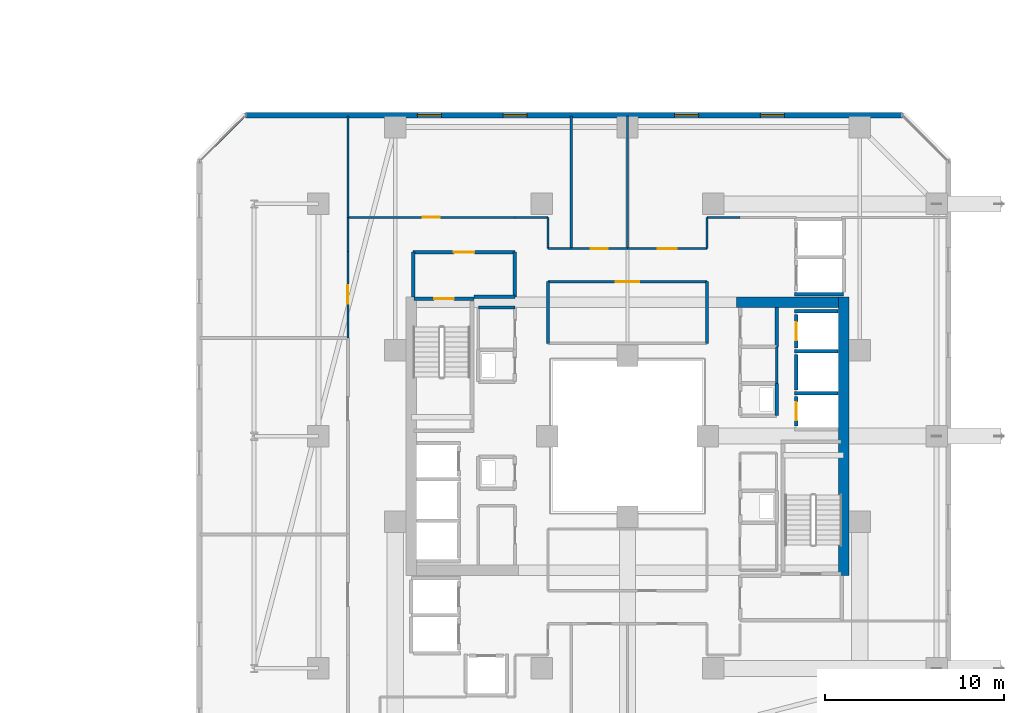
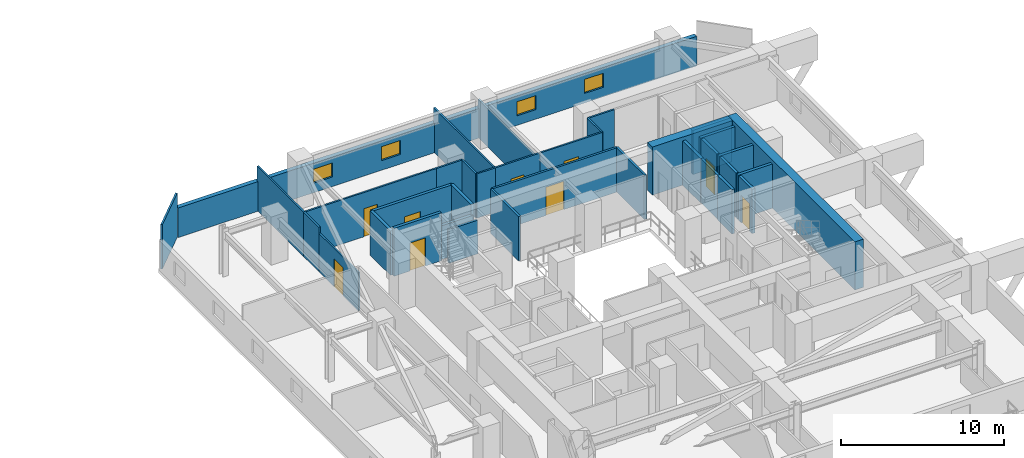
# One storey, part 28 of 36: 36 walls, 9 doors, 4 windows, 13 openings.
"""IFC4 building model written with IfcOpenShell, lengths in metres."""

from ifc_helpers import new_model, si_unit, direction, frame, frame_2d, origin, place, context, subcontext, project, spatial, rectangle, extrude, material, layer, layer_set, type_object, element, fill, save


model = new_model("IFC4")

# Units and contexts
model_context = context("Model", 3, precision=1e-05, world=origin(), true_north=direction((0.0, 1.0)))
body_context = subcontext(model_context, "Body", "Model", "MODEL_VIEW")
ifc_project = project(units=[si_unit("LENGTHUNIT", "METRE"), si_unit("AREAUNIT", "SQUARE_METRE"), si_unit("VOLUMEUNIT", "CUBIC_METRE"), si_unit("PLANEANGLEUNIT", "RADIAN"), si_unit("MASSUNIT", "GRAM", prefix="KILO")], contexts=[model_context])

# Site, building, storey
site_placement = place(None, origin())
site = spatial("IfcSite", under=ifc_project, at=site_placement, CompositionType="ELEMENT")
building_placement = place(site_placement, origin())
building = spatial("IfcBuilding", under=site, at=building_placement, Name="Thornwick Lancets Civic Towers", CompositionType="ELEMENT")
storey_placement = place(building_placement, frame((0.0, 0.0, 116.10009765625)))
storey = spatial("IfcBuildingStorey", under=building, at=storey_placement, Name="L30", CompositionType="ELEMENT", Elevation=116.10009765625)

# Wall, opening, door
ifc_material_1 = material(Name="Concrete blockwork C40/50", Category="masonry")
ifc_layer_1 = layer(ifc_material_1, 0.199951171875, Name="Concrete blockwork C40/50")
ifc_layer_set_1 = layer_set([ifc_layer_1], Name="Concrete blockwork C40/50")
wall_type_1 = type_object("IfcWallType", Name="WALL_COMP_200", PredefinedType="STANDARD", material=ifc_layer_set_1)
wall_1_placement = place(storey_placement, frame((97.949951171875, 29.219970703125, 0.0), z_axis=(0.0, 0.0, 1.0), x_axis=(0.0, -1.0, 0.0)))
wall_1 = element("IfcWall", 1, at=wall_1_placement, inside=storey, type_object=wall_type_1, Name="L30 Hoistway Front Wall FL-B1", PredefinedType="STANDARD", context=body_context, shape_type="SweptSolid", body=[
    extrude(rectangle(XDim=1.639892578125, YDim=0.199951171875, at=frame_2d((0.81982421875, 0.0))), origin(), (0.0, 0.0, 1.0), 3.31982421875),
])
opening_1_placement = place(wall_1_placement, frame((0.31005859375, 0.0, 0.0)))
opening_1 = element("IfcOpeningElement", 2, at=opening_1_placement, cuts=wall_1, Name="Opening LD-FL-B1", PredefinedType="OPENING", context=body_context, shape_type="SweptSolid", body=[
    extrude(rectangle(XDim=1.02001953125, YDim=2.06005859375, at=frame_2d((0.510009765625, 1.030029296875))), frame((0.0, 0.10986328125, 0.0), z_axis=(0.0, -1.0, 0.0), x_axis=(1.0, 0.0, 0.0)), (0.0, 0.0, 1.0), 0.219970703125),
])
ifc_material_2 = material(Name="Brushed bronze stainless steel", Category="steel")
door_type_1 = type_object("IfcDoorType", Name="DOOR_LIFT_SLIDE", OperationType="SLIDING_TO_LEFT", PredefinedType="DOOR", material=ifc_material_2)
door_1_placement = place(opening_1_placement, origin())
door_1 = element("IfcDoor", 3, at=door_1_placement, inside=storey, type_object=door_type_1, Name="L30 Sliding Lift Landing Door LD-FL-B1", OperationType="SLIDING_TO_LEFT", OverallHeight=2.06005859375, OverallWidth=1.02001953125, PredefinedType="DOOR", context=body_context, shape_type="SweptSolid", body=[
    extrude(rectangle(XDim=1.02001953125, YDim=2.06005859375, at=frame_2d((0.510009765625, 1.030029296875))), frame((0.0, 0.02490234375, 0.0), z_axis=(0.0, -1.0, 0.0), x_axis=(1.0, 0.0, 0.0)), (0.0, 0.0, 1.0), 0.050048828125),
])
fill(opening_1, door_1)

# Wall
wall_2_placement = place(storey_placement, frame((97.949951171875, 31.570068359375, 0.0), z_axis=(0.0, 0.0, 1.0), x_axis=(0.0, -1.0, 0.0)))
element("IfcWall", 4, at=wall_2_placement, inside=storey, type_object=wall_type_1, Name="L30 Hoistway Front Wall PL-BH1", PredefinedType="STANDARD", context=body_context, shape_type="SweptSolid", body=[
    extrude(rectangle(XDim=1.989990234375, YDim=0.199951171875, at=frame_2d((0.9951171875, 0.0))), origin(), (0.0, 0.0, 1.0), 3.31982421875),
])

# Wall, opening, door
wall_3_placement = place(storey_placement, frame((97.949951171875, 33.820068359375, 0.0), z_axis=(0.0, 0.0, 1.0), x_axis=(0.0, -1.0, 0.0)))
wall_3 = element("IfcWall", 5, at=wall_3_placement, inside=storey, type_object=wall_type_1, Name="L30 Hoistway Front Wall PL-BL1", PredefinedType="STANDARD", context=body_context, shape_type="SweptSolid", body=[
    extrude(rectangle(XDim=1.89013671875, YDim=0.199951171875, at=frame_2d((0.945068359375, 0.0))), origin(), (0.0, 0.0, 1.0), 3.31982421875),
])
opening_2_placement = place(wall_3_placement, frame((0.43505859375, 0.0, 0.0)))
opening_2 = element("IfcOpeningElement", 6, at=opening_2_placement, cuts=wall_3, Name="Opening LD-PL-BL1", PredefinedType="OPENING", context=body_context, shape_type="SweptSolid", body=[
    extrude(rectangle(XDim=1.02001953125, YDim=2.06005859375, at=frame_2d((0.510009765625, 1.030029296875))), frame((0.0, 0.10986328125, 0.0), z_axis=(0.0, -1.0, 0.0), x_axis=(1.0, 0.0, 0.0)), (0.0, 0.0, 1.0), 0.219970703125),
])
door_2_placement = place(opening_2_placement, origin())
door_2 = element("IfcDoor", 7, at=door_2_placement, inside=storey, type_object=door_type_1, Name="L30 Sliding Lift Landing Door LD-PL-BL1", OperationType="SLIDING_TO_LEFT", OverallHeight=2.06005859375, OverallWidth=1.02001953125, PredefinedType="DOOR", context=body_context, shape_type="SweptSolid", body=[
    extrude(rectangle(XDim=1.02001953125, YDim=2.06005859375, at=frame_2d((0.510009765625, 1.030029296875))), frame((0.0, 0.02490234375, 0.0), z_axis=(0.0, -1.0, 0.0), x_axis=(1.0, 0.0, 0.0)), (0.0, 0.0, 1.0), 0.050048828125),
])
fill(opening_2, door_2)

# Walls
for number, where, z_axis, x_axis, name in (
    (8, (97.85205078125, 29.39990234375, 0.0), (0.0, 0.0, 1.0), (1.0, 0.0, 0.0), "L30 Hoistway Shaft Wall FL-B1 N"),
    (9, (97.85205078125, 31.75, 0.0), (0.0, 0.0, 1.0), (1.0, 0.0, 0.0), "L30 Hoistway Shaft Wall PL-BH1 N"),
    (10, (97.85205078125, 34.0, 0.0), (0.0, 0.0, 1.0), (1.0, 0.0, 0.0), "L30 Hoistway Shaft Wall PL-BL1 N"),
):
    element("IfcWall", number, at=place(storey_placement, frame(where, z_axis=z_axis, x_axis=x_axis)), inside=storey, type_object=wall_type_1, Name=name, PredefinedType="STANDARD", context=body_context, shape_type="SweptSolid", body=[
        extrude(rectangle(XDim=2.43603515625, YDim=0.199951171875, at=frame_2d((1.218017578125, 0.0))), origin(), (0.0, 0.0, 1.0), 3.31982421875),
    ])
wall_4_placement = place(storey_placement, frame((97.85205078125, 34.949951171875, 0.0), z_axis=(0.0, 0.0, 1.0), x_axis=(1.0, 0.0, 0.0)))
element("IfcWall", 11, at=wall_4_placement, inside=storey, type_object=wall_type_1, Name="L30 Hoistway Shaft Wall PL-BL2 S", PredefinedType="STANDARD", context=body_context, shape_type="SweptSolid", body=[
    extrude(rectangle(XDim=2.745849609375, YDim=0.199951171875, at=frame_2d((1.373046875, 0.0))), origin(), (0.0, 0.0, 1.0), 3.31982421875),
])
wall_5_placement = place(storey_placement, frame((79.89990234375, 34.800048828125, 0.0), z_axis=(0.0, 0.0, 1.0), x_axis=(1.0, 0.0, 0.0)))
element("IfcWall", 12, at=wall_5_placement, inside=storey, type_object=wall_type_1, Name="L30 Partition L30-B-FFLOB2 E1", PredefinedType="STANDARD", context=body_context, shape_type="SweptSolid", body=[
    extrude(rectangle(XDim=2.300048828125, YDim=0.199951171875, at=frame_2d((1.14990234375, 0.0))), origin(), (0.0, 0.0, 1.0), 2.52490234375),
])
wall_6_placement = place(storey_placement, frame((82.199951171875, 34.800048828125, 0.0), z_axis=(0.0, 0.0, 1.0), x_axis=(0.0, 1.0, 0.0)))
element("IfcWall", 13, at=wall_6_placement, inside=storey, type_object=wall_type_1, Name="L30 Partition L30-B-FFLOB2 E2", PredefinedType="STANDARD", context=body_context, shape_type="SweptSolid", body=[
    extrude(rectangle(XDim=2.5, YDim=0.199951171875, at=frame_2d((1.25, 0.0))), origin(), (0.0, 0.0, 1.0), 3.31982421875),
])

# Wall, opening, door
wall_7_placement = place(storey_placement, frame((82.199951171875, 37.300048828125, 0.0), z_axis=(0.0, 0.0, 1.0), x_axis=(-1.0, 0.0, 0.0)))
wall_7 = element("IfcWall", 14, at=wall_7_placement, inside=storey, type_object=wall_type_1, Name="L30 Partition L30-B-FFLOB2 E3", PredefinedType="STANDARD", context=body_context, shape_type="SweptSolid", body=[
    extrude(rectangle(XDim=5.699951171875, YDim=0.199951171875, at=frame_2d((2.85009765625, 0.0))), origin(), (0.0, 0.0, 1.0), 3.31982421875),
])
opening_3_placement = place(wall_7_placement, frame((2.27490234375, 0.0, 0.0)))
opening_3 = element("IfcOpeningElement", 15, at=opening_3_placement, cuts=wall_7, Name="Opening D-L30-1382", PredefinedType="OPENING", context=body_context, shape_type="SweptSolid", body=[
    extrude(rectangle(XDim=1.14990234375, YDim=2.10009765625, at=frame_2d((0.574951171875, 1.050048828125))), frame((0.0, 0.10986328125, 0.0), z_axis=(0.0, -1.0, 0.0), x_axis=(1.0, 0.0, 0.0)), (0.0, 0.0, 1.0), 0.219970703125),
])
ifc_material_3 = material(Name="Glazed fire-resisting steel", Category="steel")
door_type_2 = type_object("IfcDoorType", Name="DOOR_LOBBY_FD60", OperationType="NOTDEFINED", PredefinedType="DOOR", material=ifc_material_3)
door_3_placement = place(opening_3_placement, origin())
door_3 = element("IfcDoor", 16, at=door_3_placement, inside=storey, type_object=door_type_2, Name="L30 West Firefighting Lobby 2 Door", OperationType="SINGLE_SWING_LEFT", OverallHeight=2.10009765625, OverallWidth=1.14990234375, PredefinedType="DOOR", context=body_context, shape_type="SweptSolid", body=[
    extrude(rectangle(XDim=1.14990234375, YDim=2.10009765625, at=frame_2d((0.574951171875, 1.050048828125))), frame((0.0, 0.02490234375, 0.0), z_axis=(0.0, -1.0, 0.0), x_axis=(1.0, 0.0, 0.0)), (0.0, 0.0, 1.0), 0.050048828125),
])
fill(opening_3, door_3)

# Walls
wall_8_placement = place(storey_placement, frame((76.5, 37.300048828125, 0.0), z_axis=(0.0, 0.0, 1.0), x_axis=(0.0, -1.0, 0.0)))
element("IfcWall", 17, at=wall_8_placement, inside=storey, type_object=wall_type_1, Name="L30 Partition L30-B-FFLOB2 E4", PredefinedType="STANDARD", context=body_context, shape_type="SweptSolid", body=[
    extrude(rectangle(XDim=2.5, YDim=0.199951171875, at=frame_2d((1.25, 0.0))), origin(), (0.0, 0.0, 1.0), 3.31982421875),
])
wall_9_placement = place(storey_placement, frame((96.85009765625, 28.14990234375, 0.0), z_axis=(0.0, 0.0, 1.0), x_axis=(0.0, 1.0, 0.0)))
element("IfcWall", 18, at=wall_9_placement, inside=storey, type_object=wall_type_1, Name="L30 Partition L30-B-DUCT1 E2", PredefinedType="STANDARD", context=body_context, shape_type="SweptSolid", body=[
    extrude(rectangle(XDim=1.800048828125, YDim=0.199951171875, at=frame_2d((0.89990234375, 0.0))), origin(), (0.0, 0.0, 1.0), 3.31982421875),
])
wall_10_placement = place(storey_placement, frame((96.85009765625, 34.199951171875, 0.0), z_axis=(0.0, 0.0, 1.0), x_axis=(0.0, -1.0, 0.0)))
element("IfcWall", 19, at=wall_10_placement, inside=storey, type_object=wall_type_1, Name="L30 Partition L30-B-STR2 E3", PredefinedType="STANDARD", context=body_context, shape_type="SweptSolid", body=[
    extrude(rectangle(XDim=2.199951171875, YDim=0.199951171875, at=frame_2d((1.10009765625, 0.0))), origin(), (0.0, 0.0, 1.0), 3.31982421875),
])
ifc_material_4 = material(Name="Concrete C60/75", Category="concrete")
ifc_layer_2 = layer(ifc_material_4, 0.60009765625, Name="Concrete C60/75")
ifc_layer_set_2 = layer_set([ifc_layer_2], Name="Concrete C60/75")
wall_type_2 = type_object("IfcWallType", Name="WALL_CORE_600", PredefinedType="SHEAR", material=ifc_layer_set_2)
wall_11_placement = place(storey_placement, frame((100.60009765625, 19.199951171875, 0.0), z_axis=(0.0, 0.0, 1.0), x_axis=(0.0, 1.0, 0.0)))
element("IfcWall", 20, at=wall_11_placement, inside=storey, type_object=wall_type_2, Name="L30 Split Core B1 Shear Wall E", PredefinedType="SHEAR", context=body_context, shape_type="SweptSolid", body=[
    extrude(rectangle(XDim=15.60009765625, YDim=0.60009765625, at=frame_2d((7.800048828125, 0.0))), origin(), (0.0, 0.0, 1.0), 3.599853515625),
])
wall_12_placement = place(storey_placement, frame((94.60009765625, 34.5, 0.0), z_axis=(0.0, 0.0, 1.0), x_axis=(1.0, 0.0, 0.0)))
element("IfcWall", 21, at=wall_12_placement, inside=storey, type_object=wall_type_2, Name="L30 Split Core B1 Shear Wall N", PredefinedType="SHEAR", context=body_context, shape_type="SweptSolid", body=[
    extrude(rectangle(XDim=5.699951171875, YDim=0.60009765625, at=frame_2d((2.85009765625, 0.0))), origin(), (0.0, 0.0, 1.0), 3.599853515625),
])

# Wall, openings, windows
ifc_material_5 = material(Name="Insulated russet terracotta rainscreen on concrete C40/50", Category="masonry")
ifc_layer_3 = layer(ifc_material_5, 0.300048828125, Name="Insulated russet terracotta rainscreen on concrete C40/50")
ifc_layer_set_3 = layer_set([ifc_layer_3], Name="Insulated russet terracotta rainscreen on concrete C40/50")
wall_type_3 = type_object("IfcWallType", Name="WALL_EXT_RUSSET_300", PredefinedType="STANDARD", material=ifc_layer_set_3)
wall_13_placement = place(storey_placement, frame((103.88134765625, 44.964599609375, 0.0), z_axis=(0.0, 0.0, 1.0), x_axis=(-1.0, 0.0, 0.0)))
wall_13 = element("IfcWall", 22, at=wall_13_placement, inside=storey, type_object=wall_type_3, Name="L30 Tower B Terracotta Facade Wall E4", PredefinedType="STANDARD", context=body_context, shape_type="SweptSolid", body=[
    extrude(rectangle(XDim=36.7626953125, YDim=0.300048828125, at=frame_2d((18.38134765625, 0.0))), origin(), (0.0, 0.0, 1.0), 2.219970703125),
])
opening_4_placement = place(wall_13_placement, frame((6.60009765625, 0.0, 0.719970703125)))
opening_4 = element("IfcOpeningElement", 23, at=opening_4_placement, cuts=wall_13, Name="Opening WL-03", PredefinedType="OPENING", context=body_context, shape_type="SweptSolid", body=[
    extrude(rectangle(XDim=1.35009765625, YDim=1.050048828125, at=frame_2d((0.675048828125, 0.52490234375))), frame((0.0, 0.16015625, 0.0), z_axis=(0.0, -1.0, 0.0), x_axis=(1.0, 0.0, 0.0)), (0.0, 0.0, 1.0), 0.320068359375),
])
opening_5_placement = place(wall_13_placement, frame((11.39990234375, 0.0, 0.719970703125)))
opening_5 = element("IfcOpeningElement", 24, at=opening_5_placement, cuts=wall_13, Name="Opening WL-03", PredefinedType="OPENING", context=body_context, shape_type="SweptSolid", body=[
    extrude(rectangle(XDim=1.35009765625, YDim=1.050048828125, at=frame_2d((0.675048828125, 0.52490234375))), frame((0.0, 0.16015625, 0.0), z_axis=(0.0, -1.0, 0.0), x_axis=(1.0, 0.0, 0.0)), (0.0, 0.0, 1.0), 0.320068359375),
])
opening_6_placement = place(wall_13_placement, frame((21.0, 0.0, 0.719970703125)))
opening_6 = element("IfcOpeningElement", 25, at=opening_6_placement, cuts=wall_13, Name="Opening WL-03", PredefinedType="OPENING", context=body_context, shape_type="SweptSolid", body=[
    extrude(rectangle(XDim=1.35009765625, YDim=1.050048828125, at=frame_2d((0.675048828125, 0.52490234375))), frame((0.0, 0.16015625, 0.0), z_axis=(0.0, -1.0, 0.0), x_axis=(1.0, 0.0, 0.0)), (0.0, 0.0, 1.0), 0.320068359375),
])
opening_7_placement = place(wall_13_placement, frame((25.800048828125, 0.0, 0.719970703125)))
opening_7 = element("IfcOpeningElement", 26, at=opening_7_placement, cuts=wall_13, Name="Opening WL-03", PredefinedType="OPENING", context=body_context, shape_type="SweptSolid", body=[
    extrude(rectangle(XDim=1.35009765625, YDim=1.050048828125, at=frame_2d((0.675048828125, 0.52490234375))), frame((0.0, 0.16015625, 0.0), z_axis=(0.0, -1.0, 0.0), x_axis=(1.0, 0.0, 0.0)), (0.0, 0.0, 1.0), 0.320068359375),
])
ifc_material_6 = material(Name="Clear low-e double glazing clerestory lancet", Category="glass")
window_type = type_object("IfcWindowType", Name="WIN_LANCET_1350", PartitioningType="SINGLE_PANEL", PredefinedType="WINDOW", material=ifc_material_6)
window_1_placement = place(opening_4_placement, origin())
window_1 = element("IfcWindow", 27, at=window_1_placement, inside=storey, type_object=window_type, Name="L30 Tower B Staggered Lancet Window E4-1", OverallHeight=1.050048828125, OverallWidth=1.35009765625, PartitioningType="SINGLE_PANEL", PredefinedType="WINDOW", context=body_context, shape_type="SweptSolid", body=[
    extrude(rectangle(XDim=1.35009765625, YDim=1.050048828125, at=frame_2d((0.675048828125, 0.52490234375))), frame((0.0, 0.030029296875, 0.0), z_axis=(0.0, -1.0, 0.0), x_axis=(1.0, 0.0, 0.0)), (0.0, 0.0, 1.0), 0.06005859375),
])
fill(opening_4, window_1)
window_2_placement = place(opening_5_placement, origin())
window_2 = element("IfcWindow", 28, at=window_2_placement, inside=storey, type_object=window_type, Name="L30 Tower B Staggered Lancet Window E4-2", OverallHeight=1.050048828125, OverallWidth=1.35009765625, PartitioningType="SINGLE_PANEL", PredefinedType="WINDOW", context=body_context, shape_type="SweptSolid", body=[
    extrude(rectangle(XDim=1.35009765625, YDim=1.050048828125, at=frame_2d((0.675048828125, 0.52490234375))), frame((0.0, 0.030029296875, 0.0), z_axis=(0.0, -1.0, 0.0), x_axis=(1.0, 0.0, 0.0)), (0.0, 0.0, 1.0), 0.06005859375),
])
fill(opening_5, window_2)
window_3_placement = place(opening_6_placement, origin())
window_3 = element("IfcWindow", 29, at=window_3_placement, inside=storey, type_object=window_type, Name="L30 Tower B Staggered Lancet Window E4-3", OverallHeight=1.050048828125, OverallWidth=1.35009765625, PartitioningType="SINGLE_PANEL", PredefinedType="WINDOW", context=body_context, shape_type="SweptSolid", body=[
    extrude(rectangle(XDim=1.35009765625, YDim=1.050048828125, at=frame_2d((0.675048828125, 0.52490234375))), frame((0.0, 0.030029296875, 0.0), z_axis=(0.0, -1.0, 0.0), x_axis=(1.0, 0.0, 0.0)), (0.0, 0.0, 1.0), 0.06005859375),
])
fill(opening_6, window_3)
window_4_placement = place(opening_7_placement, origin())
window_4 = element("IfcWindow", 30, at=window_4_placement, inside=storey, type_object=window_type, Name="L30 Tower B Staggered Lancet Window E4-4", OverallHeight=1.050048828125, OverallWidth=1.35009765625, PartitioningType="SINGLE_PANEL", PredefinedType="WINDOW", context=body_context, shape_type="SweptSolid", body=[
    extrude(rectangle(XDim=1.35009765625, YDim=1.050048828125, at=frame_2d((0.675048828125, 0.52490234375))), frame((0.0, 0.030029296875, 0.0), z_axis=(0.0, -1.0, 0.0), x_axis=(1.0, 0.0, 0.0)), (0.0, 0.0, 1.0), 0.06005859375),
])
fill(opening_7, window_4)

# Walls
ifc_material_7 = material(Name="Acoustic gypsum board partition")
ifc_layer_4 = layer(ifc_material_7, 0.1201171875, Name="Acoustic gypsum board partition")
ifc_layer_set_4 = layer_set([ifc_layer_4], Name="Acoustic gypsum board partition")
wall_type_4 = type_object("IfcWallType", Name="WALL_PART_120", PredefinedType="PARTITIONING", material=ifc_layer_set_4)
wall_14_placement = place(storey_placement, frame((94.800048828125, 39.25, 0.0), z_axis=(0.0, 0.0, 1.0), x_axis=(-1.0, 0.0, 0.0)))
element("IfcWall", 31, at=wall_14_placement, inside=storey, type_object=wall_type_4, Name="L30 Partition L30-B-E1 E4", PredefinedType="PARTITIONING", context=body_context, shape_type="SweptSolid", body=[
    extrude(rectangle(XDim=1.85009765625, YDim=0.1201171875, at=frame_2d((0.925048828125, 0.0))), origin(), (0.0, 0.0, 1.0), 3.31982421875),
])
wall_15_placement = place(storey_placement, frame((92.949951171875, 39.25, 0.0), z_axis=(0.0, 0.0, 1.0), x_axis=(0.0, -1.0, 0.0)))
element("IfcWall", 32, at=wall_15_placement, inside=storey, type_object=wall_type_4, Name="L30 Partition L30-B-E1 E5", PredefinedType="PARTITIONING", context=body_context, shape_type="SweptSolid", body=[
    extrude(rectangle(XDim=1.75, YDim=0.1201171875, at=frame_2d((0.875, 0.0))), origin(), (0.0, 0.0, 1.0), 3.31982421875),
])

# Wall, opening, door
wall_16_placement = place(storey_placement, frame((92.949951171875, 37.5, 0.0), z_axis=(0.0, 0.0, 1.0), x_axis=(-1.0, 0.0, 0.0)))
wall_16 = element("IfcWall", 33, at=wall_16_placement, inside=storey, type_object=wall_type_4, Name="L30 Partition L30-B-E1 E6", PredefinedType="PARTITIONING", context=body_context, shape_type="SweptSolid", body=[
    extrude(rectangle(XDim=4.449951171875, YDim=0.1201171875, at=frame_2d((2.22509765625, 0.0))), origin(), (0.0, 0.0, 1.0), 3.31982421875),
])
opening_8_placement = place(wall_16_placement, frame((1.699951171875, 0.0, 0.0)))
opening_8 = element("IfcOpeningElement", 34, at=opening_8_placement, cuts=wall_16, Name="Opening D-L30-1407", PredefinedType="OPENING", context=body_context, shape_type="SweptSolid", body=[
    extrude(rectangle(XDim=1.050048828125, YDim=2.10009765625, at=frame_2d((0.52490234375, 1.050048828125))), frame((0.0, 0.070068359375, 0.0), z_axis=(0.0, -1.0, 0.0), x_axis=(1.0, 0.0, 0.0)), (0.0, 0.0, 1.0), 0.14013671875),
])
ifc_material_8 = material(Name="Glazed European oak executive doorset")
door_type_3 = type_object("IfcDoorType", Name="DOOR_OFFICE_1050", OperationType="NOTDEFINED", PredefinedType="DOOR", material=ifc_material_8)
door_4_placement = place(opening_8_placement, origin())
door_4 = element("IfcDoor", 35, at=door_4_placement, inside=storey, type_object=door_type_3, Name="L30 Tower B Secretariat Open Office E1 Door", OperationType="SINGLE_SWING_RIGHT", OverallHeight=2.10009765625, OverallWidth=1.050048828125, PredefinedType="DOOR", context=body_context, shape_type="SweptSolid", body=[
    extrude(rectangle(XDim=1.050048828125, YDim=2.10009765625, at=frame_2d((0.52490234375, 1.050048828125))), frame((0.0, 0.02490234375, 0.0), z_axis=(0.0, -1.0, 0.0), x_axis=(1.0, 0.0, 0.0)), (0.0, 0.0, 1.0), 0.050048828125),
])
fill(opening_8, door_4)

# Walls
wall_17_placement = place(storey_placement, frame((88.5, 37.5, 0.0), z_axis=(0.0, 0.0, 1.0), x_axis=(0.0, 1.0, 0.0)))
element("IfcWall", 36, at=wall_17_placement, inside=storey, type_object=wall_type_4, Name="L30 Partition L30-B-E1 E7", PredefinedType="PARTITIONING", context=body_context, shape_type="SweptSolid", body=[
    extrude(rectangle(XDim=7.419921875, YDim=0.1201171875, at=frame_2d((3.7099609375, 0.0))), origin(), (0.0, 0.0, 1.0), 2.861572265625),
])
wall_18_placement = place(storey_placement, frame((85.35009765625, 37.5, 0.0), z_axis=(0.0, 0.0, 1.0), x_axis=(0.0, 1.0, 0.0)))
element("IfcWall", 37, at=wall_18_placement, inside=storey, type_object=wall_type_4, Name="L30 Partition L30-B-E2 E1", PredefinedType="PARTITIONING", context=body_context, shape_type="SweptSolid", body=[
    extrude(rectangle(XDim=7.419921875, YDim=0.1201171875, at=frame_2d((3.7099609375, 0.0))), origin(), (0.0, 0.0, 1.0), 3.31982421875),
])

# Wall, opening, door
wall_19_placement = place(storey_placement, frame((88.5, 37.5, 0.0), z_axis=(0.0, 0.0, 1.0), x_axis=(-1.0, 0.0, 0.0)))
wall_19 = element("IfcWall", 38, at=wall_19_placement, inside=storey, type_object=wall_type_4, Name="L30 Partition L30-B-E2 E4", PredefinedType="PARTITIONING", context=body_context, shape_type="SweptSolid", body=[
    extrude(rectangle(XDim=3.14990234375, YDim=0.1201171875, at=frame_2d((1.574951171875, 0.0))), origin(), (0.0, 0.0, 1.0), 3.31982421875),
])
opening_9_placement = place(wall_19_placement, frame((1.10009765625, 0.0, 0.0)))
opening_9 = element("IfcOpeningElement", 39, at=opening_9_placement, cuts=wall_19, Name="Opening D-L30-1408", PredefinedType="OPENING", context=body_context, shape_type="SweptSolid", body=[
    extrude(rectangle(XDim=0.949951171875, YDim=2.10009765625, at=frame_2d((0.47509765625, 1.050048828125))), frame((0.0, 0.070068359375, 0.0), z_axis=(0.0, -1.0, 0.0), x_axis=(1.0, 0.0, 0.0)), (0.0, 0.0, 1.0), 0.14013671875),
])
ifc_material_9 = material(Name="European oak acoustic doorset")
door_type_4 = type_object("IfcDoorType", Name="DOOR_OFFICE_950", OperationType="NOTDEFINED", PredefinedType="DOOR", material=ifc_material_9)
door_5_placement = place(opening_9_placement, origin())
door_5 = element("IfcDoor", 40, at=door_5_placement, inside=storey, type_object=door_type_4, Name="L30 Tower B Visitors Reception and Waiting Door", OperationType="SINGLE_SWING_LEFT", OverallHeight=2.10009765625, OverallWidth=0.949951171875, PredefinedType="DOOR", context=body_context, shape_type="SweptSolid", body=[
    extrude(rectangle(XDim=0.949951171875, YDim=2.10009765625, at=frame_2d((0.47509765625, 1.050048828125))), frame((0.0, 0.02490234375, 0.0), z_axis=(0.0, -1.0, 0.0), x_axis=(1.0, 0.0, 0.0)), (0.0, 0.0, 1.0), 0.050048828125),
])
fill(opening_9, door_5)

# Walls
wall_20_placement = place(storey_placement, frame((84.050048828125, 37.5, 0.0), z_axis=(0.0, 0.0, 1.0), x_axis=(0.0, 1.0, 0.0)))
element("IfcWall", 41, at=wall_20_placement, inside=storey, type_object=wall_type_4, Name="L30 Partition L30-B-E3 E1", PredefinedType="PARTITIONING", context=body_context, shape_type="SweptSolid", body=[
    extrude(rectangle(XDim=1.75, YDim=0.1201171875, at=frame_2d((0.875, 0.0))), origin(), (0.0, 0.0, 1.0), 3.31982421875),
])
wall_21_placement = place(storey_placement, frame((84.050048828125, 39.25, 0.0), z_axis=(0.0, 0.0, 1.0), x_axis=(-1.0, 0.0, 0.0)))
element("IfcWall", 42, at=wall_21_placement, inside=storey, type_object=wall_type_4, Name="L30 Partition L30-B-E3 E2", PredefinedType="PARTITIONING", context=body_context, shape_type="SweptSolid", body=[
    extrude(rectangle(XDim=1.85009765625, YDim=0.1201171875, at=frame_2d((0.925048828125, 0.0))), origin(), (0.0, 0.0, 1.0), 3.31982421875),
])

# Wall, opening, door
wall_22_placement = place(storey_placement, frame((82.199951171875, 39.25, 0.0), z_axis=(0.0, 0.0, 1.0), x_axis=(-1.0, 0.0, 0.0)))
wall_22 = element("IfcWall", 43, at=wall_22_placement, inside=storey, type_object=wall_type_4, Name="L30 Partition L30-B-E3 E3", PredefinedType="PARTITIONING", context=body_context, shape_type="SweptSolid", body=[
    extrude(rectangle(XDim=9.349853515625, YDim=0.1201171875, at=frame_2d((4.6748046875, 0.0))), origin(), (0.0, 0.0, 1.0), 3.31982421875),
])
opening_10_placement = place(wall_22_placement, frame((4.199951171875, 0.0, 0.0)))
opening_10 = element("IfcOpeningElement", 44, at=opening_10_placement, cuts=wall_22, Name="Opening D-L30-1409", PredefinedType="OPENING", context=body_context, shape_type="SweptSolid", body=[
    extrude(rectangle(XDim=0.949951171875, YDim=2.10009765625, at=frame_2d((0.47509765625, 1.050048828125))), frame((0.0, 0.070068359375, 0.0), z_axis=(0.0, -1.0, 0.0), x_axis=(1.0, 0.0, 0.0)), (0.0, 0.0, 1.0), 0.14013671875),
])
door_6_placement = place(opening_10_placement, origin())
door_6 = element("IfcDoor", 45, at=door_6_placement, inside=storey, type_object=door_type_4, Name="L30 Tower B Civic Seminar Room Door", OperationType="SINGLE_SWING_RIGHT", OverallHeight=2.10009765625, OverallWidth=0.949951171875, PredefinedType="DOOR", context=body_context, shape_type="SweptSolid", body=[
    extrude(rectangle(XDim=0.949951171875, YDim=2.10009765625, at=frame_2d((0.47509765625, 1.050048828125))), frame((0.0, 0.02490234375, 0.0), z_axis=(0.0, -1.0, 0.0), x_axis=(1.0, 0.0, 0.0)), (0.0, 0.0, 1.0), 0.050048828125),
])
fill(opening_10, door_6)

# Walls
wall_23_placement = place(storey_placement, frame((72.85009765625, 39.25, 0.0), z_axis=(0.0, 0.0, 1.0), x_axis=(0.0, 1.0, 0.0)))
element("IfcWall", 46, at=wall_23_placement, inside=storey, type_object=wall_type_4, Name="L30 Partition L30-B-E3 E4", PredefinedType="PARTITIONING", context=body_context, shape_type="SweptSolid", body=[
    extrude(rectangle(XDim=5.669921875, YDim=0.1201171875, at=frame_2d((2.8349609375, 0.0))), origin(), (0.0, 0.0, 1.0), 3.31982421875),
])
wall_24_placement = place(storey_placement, frame((85.35009765625, 37.5, 0.0), z_axis=(0.0, 0.0, 1.0), x_axis=(-1.0, 0.0, 0.0)))
element("IfcWall", 47, at=wall_24_placement, inside=storey, type_object=wall_type_4, Name="L30 Partition L30-B-E3 E7", PredefinedType="PARTITIONING", context=body_context, shape_type="SweptSolid", body=[
    extrude(rectangle(XDim=1.300048828125, YDim=0.1201171875, at=frame_2d((0.64990234375, 0.0))), origin(), (0.0, 0.0, 1.0), 3.31982421875),
])
wall_25_placement = place(storey_placement, frame((64.580078125, 42.42529296875, 0.0), z_axis=(0.0, 0.0, 1.0), x_axis=(0.707106781187, 0.707106781187, 0.0)))
element("IfcWall", 48, at=wall_25_placement, inside=storey, type_object=wall_type_4, Name="L30 Partition L30-B-N-OFF E2", PredefinedType="PARTITIONING", context=body_context, shape_type="SweptSolid", body=[
    extrude(rectangle(XDim=3.52783203125, YDim=0.1201171875, at=frame_2d((1.763916015625, 0.0))), origin(), (0.0, 0.0, 1.0), 3.31982421875),
])
wall_26_placement = place(storey_placement, frame((72.85009765625, 39.25, 0.0), z_axis=(0.0, 0.0, 1.0), x_axis=(0.0, -1.0, 0.0)))
element("IfcWall", 49, at=wall_26_placement, inside=storey, type_object=wall_type_4, Name="L30 Partition L30-B-N-OFF E5", PredefinedType="PARTITIONING", context=body_context, shape_type="SweptSolid", body=[
    extrude(rectangle(XDim=1.89990234375, YDim=0.1201171875, at=frame_2d((0.949951171875, 0.0))), origin(), (0.0, 0.0, 1.0), 3.31982421875),
])

# Wall, opening, door
wall_27_placement = place(storey_placement, frame((72.85009765625, 37.35009765625, 0.0), z_axis=(0.0, 0.0, 1.0), x_axis=(0.0, -1.0, 0.0)))
wall_27 = element("IfcWall", 50, at=wall_27_placement, inside=storey, type_object=wall_type_4, Name="L30 Partition L30-B-N-OFF E6", PredefinedType="PARTITIONING", context=body_context, shape_type="SweptSolid", body=[
    extrude(rectangle(XDim=4.85009765625, YDim=0.1201171875, at=frame_2d((2.425048828125, 0.0))), origin(), (0.0, 0.0, 1.0), 2.875),
])
opening_11_placement = place(wall_27_placement, frame((1.89990234375, 0.0, 0.0)))
opening_11 = element("IfcOpeningElement", 51, at=opening_11_placement, cuts=wall_27, Name="Opening D-L30-1414", PredefinedType="OPENING", context=body_context, shape_type="SweptSolid", body=[
    extrude(rectangle(XDim=1.050048828125, YDim=2.10009765625, at=frame_2d((0.52490234375, 1.050048828125))), frame((0.0, 0.070068359375, 0.0), z_axis=(0.0, -1.0, 0.0), x_axis=(1.0, 0.0, 0.0)), (0.0, 0.0, 1.0), 0.14013671875),
])
door_7_placement = place(opening_11_placement, origin())
door_7 = element("IfcDoor", 52, at=door_7_placement, inside=storey, type_object=door_type_3, Name="L30 Tower B North-East Policy Office Door", OperationType="SINGLE_SWING_LEFT", OverallHeight=2.10009765625, OverallWidth=1.050048828125, PredefinedType="DOOR", context=body_context, shape_type="SweptSolid", body=[
    extrude(rectangle(XDim=1.050048828125, YDim=2.10009765625, at=frame_2d((0.52490234375, 1.050048828125))), frame((0.0, 0.02490234375, 0.0), z_axis=(0.0, -1.0, 0.0), x_axis=(1.0, 0.0, 0.0)), (0.0, 0.0, 1.0), 0.050048828125),
])
fill(opening_11, door_7)

# Walls
ifc_material_10 = material(Name="Twin-stud acoustic gypsum board")
ifc_layer_5 = layer(ifc_material_10, 0.14990234375, Name="Twin-stud acoustic gypsum board")
ifc_layer_set_5 = layer_set([ifc_layer_5], Name="Twin-stud acoustic gypsum board")
wall_type_5 = type_object("IfcWallType", Name="WALL_PART_150", PredefinedType="PARTITIONING", material=ifc_layer_set_5)
wall_28_placement = place(storey_placement, frame((96.85009765625, 32.0, 0.0), z_axis=(0.0, 0.0, 1.0), x_axis=(0.0, -1.0, 0.0)))
element("IfcWall", 53, at=wall_28_placement, inside=storey, type_object=wall_type_5, Name="L30 Partition L30-B-AWC E3", PredefinedType="PARTITIONING", context=body_context, shape_type="SweptSolid", body=[
    extrude(rectangle(XDim=2.050048828125, YDim=0.14990234375, at=frame_2d((1.02490234375, 0.0))), origin(), (0.0, 0.0, 1.0), 3.31982421875),
])
wall_29_placement = place(storey_placement, frame((80.14990234375, 34.199951171875, 0.0), z_axis=(0.0, 0.0, 1.0), x_axis=(1.0, 0.0, 0.0)))
element("IfcWall", 54, at=wall_29_placement, inside=storey, type_object=wall_type_5, Name="L30 Partition L30-B-FWC E2", PredefinedType="PARTITIONING", context=body_context, shape_type="SweptSolid", body=[
    extrude(rectangle(XDim=2.050048828125, YDim=0.14990234375, at=frame_2d((1.02490234375, 0.0))), origin(), (0.0, 0.0, 1.0), 2.52490234375),
])
wall_30_placement = place(storey_placement, frame((84.050048828125, 32.199951171875, 0.0), z_axis=(0.0, 0.0, 1.0), x_axis=(0.0, 1.0, 0.0)))
element("IfcWall", 55, at=wall_30_placement, inside=storey, type_object=wall_type_5, Name="L30 Partition L30-B-ATR-E E1", PredefinedType="PARTITIONING", context=body_context, shape_type="SweptSolid", body=[
    extrude(rectangle(XDim=3.449951171875, YDim=0.14990234375, at=frame_2d((1.72509765625, 0.0))), origin(), (0.0, 0.0, 1.0), 3.31982421875),
])

# Wall, opening, door
wall_31_placement = place(storey_placement, frame((84.050048828125, 35.64990234375, 0.0), z_axis=(0.0, 0.0, 1.0), x_axis=(1.0, 0.0, 0.0)))
wall_31 = element("IfcWall", 56, at=wall_31_placement, inside=storey, type_object=wall_type_5, Name="L30 Partition L30-B-ATR-E E2", PredefinedType="PARTITIONING", context=body_context, shape_type="SweptSolid", body=[
    extrude(rectangle(XDim=8.89990234375, YDim=0.14990234375, at=frame_2d((4.449951171875, 0.0))), origin(), (0.0, 0.0, 1.0), 3.31982421875),
])
opening_12_placement = place(wall_31_placement, frame((3.800048828125, 0.0, 0.0)))
opening_12 = element("IfcOpeningElement", 57, at=opening_12_placement, cuts=wall_31, Name="Opening D-L30-1410", PredefinedType="OPENING", context=body_context, shape_type="SweptSolid", body=[
    extrude(rectangle(XDim=1.300048828125, YDim=2.1201171875, at=frame_2d((0.64990234375, 1.06005859375))), frame((0.0, 0.0849609375, 0.0), z_axis=(0.0, -1.0, 0.0), x_axis=(1.0, 0.0, 0.0)), (0.0, 0.0, 1.0), 0.169921875),
])
ifc_material_11 = material(Name="Acoustic oak leaf-and-a-half doorset")
door_type_5 = type_object("IfcDoorType", Name="DOOR_MEET_1300", OperationType="DOUBLE_DOOR_SINGLE_SWING", PredefinedType="DOOR", material=ifc_material_11)
door_8_placement = place(opening_12_placement, origin())
door_8 = element("IfcDoor", 58, at=door_8_placement, inside=storey, type_object=door_type_5, Name="L30 Tower B East Atrium Briefing Suite Door", OperationType="DOUBLE_DOOR_SINGLE_SWING", OverallHeight=2.1201171875, OverallWidth=1.300048828125, PredefinedType="DOOR", context=body_context, shape_type="SweptSolid", body=[
    extrude(rectangle(XDim=1.300048828125, YDim=2.1201171875, at=frame_2d((0.64990234375, 1.06005859375))), frame((0.0, 0.02490234375, 0.0), z_axis=(0.0, -1.0, 0.0), x_axis=(1.0, 0.0, 0.0)), (0.0, 0.0, 1.0), 0.050048828125),
])
fill(opening_12, door_8)

# Wall
wall_32_placement = place(storey_placement, frame((92.949951171875, 35.64990234375, 0.0), z_axis=(0.0, 0.0, 1.0), x_axis=(0.0, -1.0, 0.0)))
element("IfcWall", 59, at=wall_32_placement, inside=storey, type_object=wall_type_5, Name="L30 Partition L30-B-ATR-E E3", PredefinedType="PARTITIONING", context=body_context, shape_type="SweptSolid", body=[
    extrude(rectangle(XDim=3.449951171875, YDim=0.14990234375, at=frame_2d((1.72509765625, 0.0))), origin(), (0.0, 0.0, 1.0), 3.31982421875),
])

# Wall, opening, door
ifc_material_12 = material(Name="Concrete C40/50", Category="concrete")
ifc_layer_6 = layer(ifc_material_12, 0.199951171875, Name="Concrete C40/50")
ifc_layer_set_6 = layer_set([ifc_layer_6], Name="Concrete C40/50")
wall_type_6 = type_object("IfcWallType", Name="WALL_SHAFT_200", PredefinedType="SHEAR", material=ifc_layer_set_6)
wall_33_placement = place(storey_placement, frame((76.550048828125, 34.699951171875, 0.0), z_axis=(0.0, 0.0, 1.0), x_axis=(1.0, 0.0, 0.0)))
wall_33 = element("IfcWall", 60, at=wall_33_placement, inside=storey, type_object=wall_type_6, Name="L30 ST-B2 Fire Stair Core Wall NEAR", PredefinedType="SHEAR", context=body_context, shape_type="SweptSolid", body=[
    extrude(rectangle(XDim=3.349853515625, YDim=0.199951171875, at=frame_2d((1.6748046875, 0.0))), origin(), (0.0, 0.0, 1.0), 3.599853515625),
])
opening_13_placement = place(wall_33_placement, frame((1.125, 0.0, 0.0)))
opening_13 = element("IfcOpeningElement", 61, at=opening_13_placement, cuts=wall_33, Name="Opening D-ST-B2-L30", PredefinedType="OPENING", context=body_context, shape_type="SweptSolid", body=[
    extrude(rectangle(XDim=1.10009765625, YDim=2.10009765625, at=frame_2d((0.550048828125, 1.050048828125))), frame((0.0, 0.10986328125, 0.0), z_axis=(0.0, -1.0, 0.0), x_axis=(1.0, 0.0, 0.0)), (0.0, 0.0, 1.0), 0.219970703125),
])
ifc_material_13 = material(Name="Fire-resisting steel and hardwood", Category="steel")
door_type_6 = type_object("IfcDoorType", Name="DOOR_STAIR_FD60", OperationType="NOTDEFINED", PredefinedType="DOOR", material=ifc_material_13)
door_9_placement = place(opening_13_placement, origin())
door_9 = element("IfcDoor", 62, at=door_9_placement, inside=storey, type_object=door_type_6, Name="L30 ST-B2 Exit Stair Door", OperationType="SINGLE_SWING_LEFT", OverallHeight=2.10009765625, OverallWidth=1.10009765625, PredefinedType="DOOR", context=body_context, shape_type="SweptSolid", body=[
    extrude(rectangle(XDim=1.10009765625, YDim=2.10009765625, at=frame_2d((0.550048828125, 1.050048828125))), frame((0.0, 0.02490234375, 0.0), z_axis=(0.0, -1.0, 0.0), x_axis=(1.0, 0.0, 0.0)), (0.0, 0.0, 1.0), 0.050048828125),
])
fill(opening_13, door_9)

save(model, "model.ifc")
